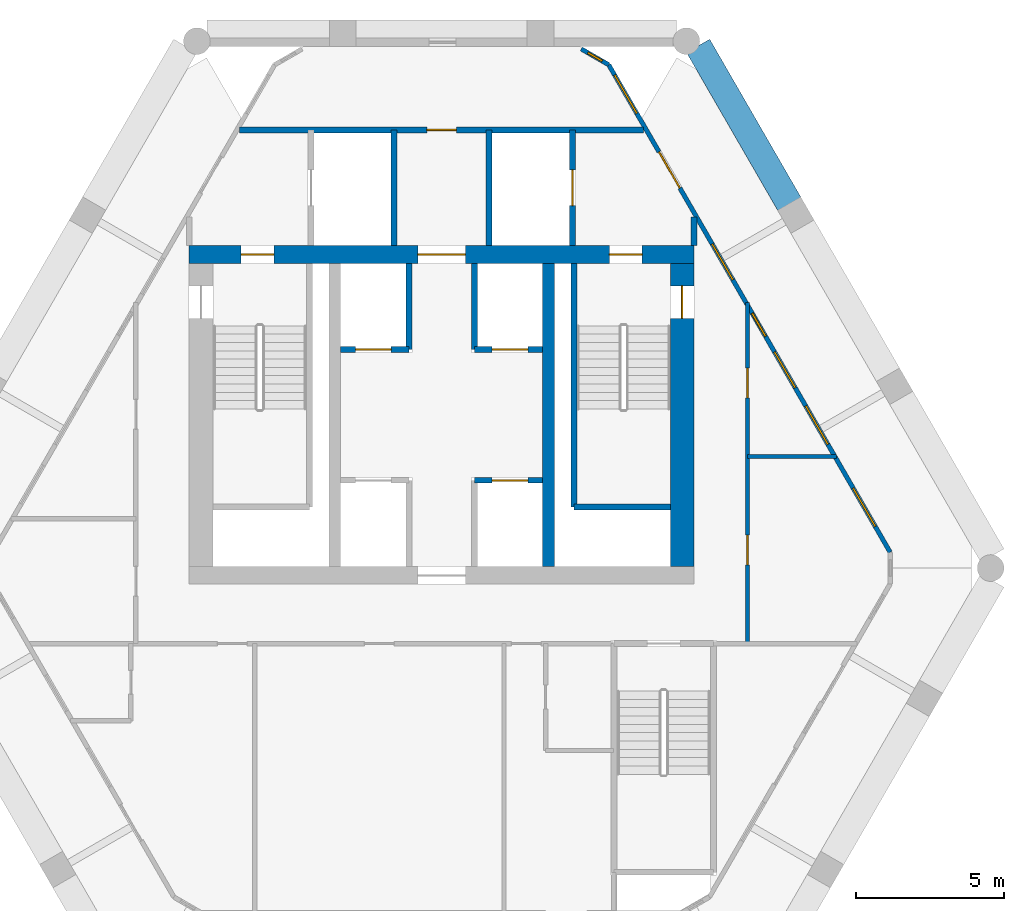
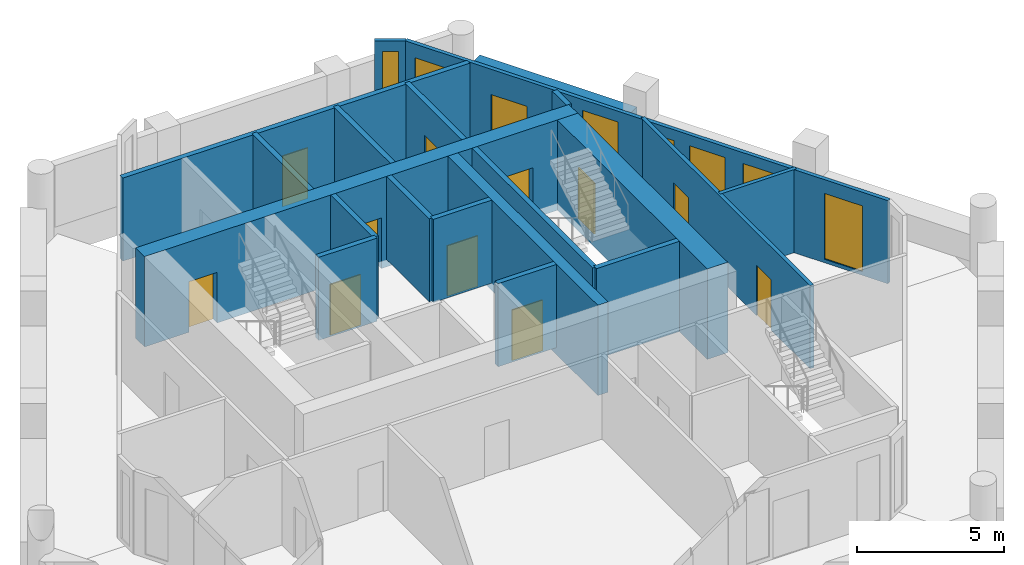
# One storey, part 4 of 6: 20 walls, 12 doors, 7 windows, 19 openings.
"""IFC4 building model written with IfcOpenShell, lengths in metres."""

from ifc_helpers import new_model, si_unit, direction, frame, frame_2d, origin, place, context, subcontext, project, spatial, rectangle, extrude, material, layer, layer_set, type_object, element, fill, save


model = new_model("IFC4")

# Units and contexts
model_context = context("Model", 3, precision=1e-05, world=origin(), true_north=direction((0.0, 1.0)))
body_context = subcontext(model_context, "Body", "Model", "MODEL_VIEW")
ifc_project = project(units=[si_unit("LENGTHUNIT", "METRE"), si_unit("AREAUNIT", "SQUARE_METRE"), si_unit("VOLUMEUNIT", "CUBIC_METRE"), si_unit("PLANEANGLEUNIT", "RADIAN"), si_unit("MASSUNIT", "GRAM", prefix="KILO")], contexts=[model_context])

# Site, building, storey
site_placement = place(None, origin())
site = spatial("IfcSite", under=ifc_project, at=site_placement, CompositionType="ELEMENT")
building_placement = place(site_placement, origin())
building = spatial("IfcBuilding", under=site, at=building_placement, Name="Ostrander Bayou Hotel Tower", CompositionType="ELEMENT")
storey_placement = place(building_placement, frame((0.0, 0.0, 271.25)))
storey = spatial("IfcBuildingStorey", under=building, at=storey_placement, Name="L67", CompositionType="ELEMENT", Elevation=271.25)

# Wall, openings, doors
ifc_material_1 = material(Name="Concrete f'c 60 MPa", Category="concrete")
ifc_layer_1 = layer(ifc_material_1, 0.60009765625)
ifc_layer_set_1 = layer_set([ifc_layer_1], Name="CW10 core wall 600 mm f'c 60 MPa")
wall_type_1 = type_object("IfcWallType", Name="CW10 core wall 600 mm f'c 60 MPa", PredefinedType="SHEAR", material=ifc_layer_set_1)
wall_1_placement = place(storey_placement, frame((-8.5, 9.39990234375, -0.300048828125), z_axis=(0.0, 0.0, 1.0), x_axis=(1.0, 0.0, 0.0)))
wall_1 = element("IfcWall", 1, at=wall_1_placement, inside=storey, type_object=wall_type_1, Name="CW10 L67 N", PredefinedType="SHEAR", context=body_context, shape_type="SweptSolid", body=[
    extrude(rectangle(XDim=17.0, YDim=0.60009765625, at=frame_2d((8.5, 0.0))), origin(), (0.0, 0.0, 1.0), 3.75),
])
opening_1_placement = place(wall_1_placement, frame((7.699951171875, 0.0, 0.0)))
opening_1 = element("IfcOpeningElement", 2, at=opening_1_placement, cuts=wall_1, Name="Opening T66-006", PredefinedType="OPENING", context=body_context, shape_type="SweptSolid", body=[
    extrude(rectangle(XDim=1.60009765625, YDim=2.10009765625, at=frame_2d((0.800048828125, 1.050048828125))), frame((0.0, 0.300048828125, 0.0), z_axis=(0.0, -1.0, 0.0), x_axis=(1.0, 0.0, 0.0)), (0.0, 0.0, 1.0), 0.60009765625),
])
opening_2_placement = place(wall_1_placement, frame((1.75, 0.0, 0.0)))
opening_2 = element("IfcOpeningElement", 3, at=opening_2_placement, cuts=wall_1, Name="Opening T66-007", PredefinedType="OPENING", context=body_context, shape_type="SweptSolid", body=[
    extrude(rectangle(XDim=1.10009765625, YDim=2.10009765625, at=frame_2d((0.550048828125, 1.050048828125))), frame((0.0, 0.300048828125, 0.0), z_axis=(0.0, -1.0, 0.0), x_axis=(1.0, 0.0, 0.0)), (0.0, 0.0, 1.0), 0.60009765625),
])
opening_3_placement = place(wall_1_placement, frame((14.14990234375, 0.0, 0.0)))
opening_3 = element("IfcOpeningElement", 4, at=opening_3_placement, cuts=wall_1, Name="Opening T66-009", PredefinedType="OPENING", context=body_context, shape_type="SweptSolid", body=[
    extrude(rectangle(XDim=1.10009765625, YDim=2.10009765625, at=frame_2d((0.550048828125, 1.050048828125))), frame((0.0, 0.300048828125, 0.0), z_axis=(0.0, -1.0, 0.0), x_axis=(1.0, 0.0, 0.0)), (0.0, 0.0, 1.0), 0.60009765625),
])
ifc_material_2 = material(Name="Timber door leaf", Category="wood")
door_type_1 = type_object("IfcDoorType", Name="D13 double door 1600 x 2100 mm, 1 hour", OperationType="SINGLE_SWING_LEFT", PredefinedType="DOOR", material=ifc_material_2)
door_1_placement = place(opening_1_placement, origin())
door_1 = element("IfcDoor", 5, at=door_1_placement, inside=storey, type_object=door_type_1, Name="dr:L67:006", OperationType="DOUBLE_DOOR_SINGLE_SWING", OverallHeight=2.10009765625, OverallWidth=1.60009765625, PredefinedType="DOOR", context=body_context, shape_type="SweptSolid", body=[
    extrude(rectangle(XDim=1.60009765625, YDim=2.10009765625, at=frame_2d((0.800048828125, 1.050048828125))), frame((0.0, 0.02490234375, 0.0), z_axis=(0.0, -1.0, 0.0), x_axis=(1.0, 0.0, 0.0)), (0.0, 0.0, 1.0), 0.050048828125),
])
fill(opening_1, door_1)
ifc_material_3 = material(Name="Timber door leaf", Category="wood")
door_type_2 = type_object("IfcDoorType", Name="D5 stair door 1100 x 2100 mm, 90 minute", OperationType="SINGLE_SWING_LEFT", PredefinedType="DOOR", material=ifc_material_3)
door_2_placement = place(opening_2_placement, origin())
door_2 = element("IfcDoor", 6, at=door_2_placement, inside=storey, type_object=door_type_2, Name="dr:L67:007", OperationType="SINGLE_SWING_LEFT", OverallHeight=2.10009765625, OverallWidth=1.10009765625, PredefinedType="DOOR", context=body_context, shape_type="SweptSolid", body=[
    extrude(rectangle(XDim=1.10009765625, YDim=2.10009765625, at=frame_2d((0.550048828125, 1.050048828125))), frame((0.0, 0.02490234375, 0.0), z_axis=(0.0, -1.0, 0.0), x_axis=(1.0, 0.0, 0.0)), (0.0, 0.0, 1.0), 0.050048828125),
])
fill(opening_2, door_2)
door_3_placement = place(opening_3_placement, origin())
door_3 = element("IfcDoor", 7, at=door_3_placement, inside=storey, type_object=door_type_2, Name="dr:L67:009", OperationType="SINGLE_SWING_RIGHT", OverallHeight=2.10009765625, OverallWidth=1.10009765625, PredefinedType="DOOR", context=body_context, shape_type="SweptSolid", body=[
    extrude(rectangle(XDim=1.10009765625, YDim=2.10009765625, at=frame_2d((0.550048828125, 1.050048828125))), frame((0.0, 0.02490234375, 0.0), z_axis=(0.0, -1.0, 0.0), x_axis=(1.0, 0.0, 0.0)), (0.0, 0.0, 1.0), 0.050048828125),
])
fill(opening_3, door_3)

# Wall, opening, door
ifc_material_4 = material(Name="Concrete f'c 60 MPa", Category="concrete")
ifc_layer_2 = layer(ifc_material_4, 0.800048828125)
ifc_layer_set_2 = layer_set([ifc_layer_2], Name="CW11 core spine wall 800 mm f'c 60 MPa")
wall_type_2 = type_object("IfcWallType", Name="CW11 core spine wall 800 mm f'c 60 MPa", PredefinedType="SHEAR", material=ifc_layer_set_2)
wall_2_placement = place(storey_placement, frame((8.10009765625, -1.10009765625, -0.300048828125), z_axis=(0.0, 0.0, 1.0), x_axis=(0.0, 1.0, 0.0)))
wall_2 = element("IfcWall", 8, at=wall_2_placement, inside=storey, type_object=wall_type_2, Name="CW11 L67 E", PredefinedType="SHEAR", context=body_context, shape_type="SweptSolid", body=[
    extrude(rectangle(XDim=10.2001953125, YDim=0.800048828125, at=frame_2d((5.10009765625, 0.0))), origin(), (0.0, 0.0, 1.0), 3.75),
])
opening_4_placement = place(wall_2_placement, frame((8.35009765625, 0.0, 0.0)))
opening_4 = element("IfcOpeningElement", 9, at=opening_4_placement, cuts=wall_2, Name="Opening T66-010", PredefinedType="OPENING", context=body_context, shape_type="SweptSolid", body=[
    extrude(rectangle(XDim=1.10009765625, YDim=2.10009765625, at=frame_2d((0.550048828125, 1.050048828125))), frame((0.0, 0.39990234375, 0.0), z_axis=(0.0, -1.0, 0.0), x_axis=(1.0, 0.0, 0.0)), (0.0, 0.0, 1.0), 0.800048828125),
])
door_4_placement = place(opening_4_placement, origin())
door_4 = element("IfcDoor", 10, at=door_4_placement, inside=storey, type_object=door_type_2, Name="dr:L67:010", OperationType="SINGLE_SWING_LEFT", OverallHeight=2.10009765625, OverallWidth=1.10009765625, PredefinedType="DOOR", context=body_context, shape_type="SweptSolid", body=[
    extrude(rectangle(XDim=1.10009765625, YDim=2.10009765625, at=frame_2d((0.550048828125, 1.050048828125))), frame((0.0, 0.02490234375, 0.0), z_axis=(0.0, -1.0, 0.0), x_axis=(1.0, 0.0, 0.0)), (0.0, 0.0, 1.0), 0.050048828125),
])
fill(opening_4, door_4)

# Wall
ifc_material_5 = material(Name="Concrete f'c 60 MPa", Category="concrete")
ifc_layer_3 = layer(ifc_material_5, 0.39990234375)
ifc_layer_set_3 = layer_set([ifc_layer_3], Name="CW12 core bank wall 400 mm f'c 60 MPa")
wall_type_3 = type_object("IfcWallType", Name="CW12 core bank wall 400 mm f'c 60 MPa", PredefinedType="SHEAR", material=ifc_layer_set_3)
wall_3_placement = place(storey_placement, frame((3.60009765625, -1.10009765625, -0.300048828125), z_axis=(0.0, 0.0, 1.0), x_axis=(0.0, 1.0, 0.0)))
element("IfcWall", 11, at=wall_3_placement, inside=storey, type_object=wall_type_3, Name="CW12 L67 CE", PredefinedType="SHEAR", context=body_context, shape_type="SweptSolid", body=[
    extrude(rectangle(XDim=10.2001953125, YDim=0.39990234375, at=frame_2d((5.10009765625, 0.0))), origin(), (0.0, 0.0, 1.0), 3.75),
])

# Wall, openings, door, windows
ifc_material_6 = material(Name="Aluminium framed insulated wall", Category="aluminium")
ifc_layer_4 = layer(ifc_material_6, 0.14990234375)
ifc_layer_set_4 = layer_set([ifc_layer_4], Name="GW1 glass-line wall 150 mm")
wall_type_4 = type_object("IfcWallType", Name="GW1 glass-line wall 150 mm", PredefinedType="SOLIDWALL", material=ifc_layer_set_4)
wall_4_placement = place(storey_placement, frame((15.10400390625, -0.6240234375, 0.0), z_axis=(0.0, 0.0, 1.0), x_axis=(-0.499998195608, 0.866026445548, 0.0)))
wall_4 = element("IfcWall", 12, at=wall_4_placement, inside=storey, type_object=wall_type_4, Name="GW1 L67 NE 1", PredefinedType="SOLIDWALL", context=body_context, shape_type="SweptSolid", body=[
    extrude(rectangle(XDim=18.9560546875, YDim=0.14990234375, at=frame_2d((9.47802734375, 0.0))), origin(), (0.0, 0.0, 1.0), 3.449951171875),
])
opening_5_placement = place(wall_4_placement, frame((4.1923828125, 0.0, 0.14990234375)))
opening_5 = element("IfcOpeningElement", 13, at=opening_5_placement, cuts=wall_4, Name="Opening W4", PredefinedType="OPENING", context=body_context, shape_type="SweptSolid", body=[
    extrude(rectangle(XDim=1.5, YDim=2.85009765625, at=frame_2d((0.75, 1.425048828125))), frame((0.0, 0.074951171875, 0.0), z_axis=(0.0, -1.0, 0.0), x_axis=(1.0, 0.0, 0.0)), (0.0, 0.0, 1.0), 0.14990234375),
])
opening_6_placement = place(wall_4_placement, frame((6.392333984375, 0.0, 0.14990234375)))
opening_6 = element("IfcOpeningElement", 14, at=opening_6_placement, cuts=wall_4, Name="Opening W14", PredefinedType="OPENING", context=body_context, shape_type="SweptSolid", body=[
    extrude(rectangle(XDim=1.39990234375, YDim=2.85009765625, at=frame_2d((0.699951171875, 1.425048828125))), frame((0.0, 0.074951171875, 0.0), z_axis=(0.0, -1.0, 0.0), x_axis=(1.0, 0.0, 0.0)), (0.0, 0.0, 1.0), 0.14990234375),
])
opening_7_placement = place(wall_4_placement, frame((8.392333984375, 0.0, 0.14990234375)))
opening_7 = element("IfcOpeningElement", 15, at=opening_7_placement, cuts=wall_4, Name="Opening W18", PredefinedType="OPENING", context=body_context, shape_type="SweptSolid", body=[
    extrude(rectangle(XDim=0.89990234375, YDim=2.85009765625, at=frame_2d((0.449951171875, 1.425048828125))), frame((0.0, 0.074951171875, 0.0), z_axis=(0.0, -1.0, 0.0), x_axis=(1.0, 0.0, 0.0)), (0.0, 0.0, 1.0), 0.14990234375),
])
opening_8_placement = place(wall_4_placement, frame((10.59228515625, 0.0, 0.14990234375)))
opening_8 = element("IfcOpeningElement", 16, at=opening_8_placement, cuts=wall_4, Name="Opening W14", PredefinedType="OPENING", context=body_context, shape_type="SweptSolid", body=[
    extrude(rectangle(XDim=1.39990234375, YDim=2.85009765625, at=frame_2d((0.699951171875, 1.425048828125))), frame((0.0, 0.074951171875, 0.0), z_axis=(0.0, -1.0, 0.0), x_axis=(1.0, 0.0, 0.0)), (0.0, 0.0, 1.0), 0.14990234375),
])
opening_9_placement = place(wall_4_placement, frame((14.16796875, 0.0, 0.0)))
opening_9 = element("IfcOpeningElement", 17, at=opening_9_placement, cuts=wall_4, Name="Opening T66-805", PredefinedType="OPENING", context=body_context, shape_type="SweptSolid", body=[
    extrude(rectangle(XDim=1.39990234375, YDim=2.39990234375, at=frame_2d((0.699951171875, 1.199951171875))), frame((0.0, 0.074951171875, 0.0), z_axis=(0.0, -1.0, 0.0), x_axis=(1.0, 0.0, 0.0)), (0.0, 0.0, 1.0), 0.14990234375),
])
opening_10_placement = place(wall_4_placement, frame((0.998291015625, 0.0, 0.14990234375)))
opening_10 = element("IfcOpeningElement", 18, at=opening_10_placement, cuts=wall_4, Name="Opening W4", PredefinedType="OPENING", context=body_context, shape_type="SweptSolid", body=[
    extrude(rectangle(XDim=1.5, YDim=2.72998046875, at=frame_2d((0.75, 1.364990234375))), frame((0.0, 0.074951171875, 0.0), z_axis=(0.0, -1.0, 0.0), x_axis=(1.0, 0.0, 0.0)), (0.0, 0.0, 1.0), 0.14990234375),
])
opening_11_placement = place(wall_4_placement, frame((17.06201171875, 0.0, 0.14990234375)))
opening_11 = element("IfcOpeningElement", 19, at=opening_11_placement, cuts=wall_4, Name="Opening W4", PredefinedType="OPENING", context=body_context, shape_type="SweptSolid", body=[
    extrude(rectangle(XDim=1.5, YDim=2.72998046875, at=frame_2d((0.75, 1.364990234375))), frame((0.0, 0.074951171875, 0.0), z_axis=(0.0, -1.0, 0.0), x_axis=(1.0, 0.0, 0.0)), (0.0, 0.0, 1.0), 0.14990234375),
])
ifc_material_7 = material(Name="Aluminium and clear glass", Category="aluminium")
door_type_3 = type_object("IfcDoorType", Name="SD4 sliding glass door 1400 mm, zone 4", OperationType="SLIDING_TO_LEFT", PredefinedType="DOOR", material=ifc_material_7)
door_5_placement = place(opening_9_placement, origin())
door_5 = element("IfcDoor", 20, at=door_5_placement, inside=storey, type_object=door_type_3, Name="SD4 L67 NE 4", OperationType="SLIDING_TO_RIGHT", OverallHeight=2.39990234375, OverallWidth=1.39990234375, PredefinedType="DOOR", context=body_context, shape_type="SweptSolid", body=[
    extrude(rectangle(XDim=1.39990234375, YDim=2.39990234375, at=frame_2d((0.699951171875, 1.199951171875))), frame((0.0, 0.02490234375, 0.0), z_axis=(0.0, -1.0, 0.0), x_axis=(1.0, 0.0, 0.0)), (0.0, 0.0, 1.0), 0.050048828125),
])
fill(opening_9, door_5)
ifc_material_8 = material(Name="Aluminium and clear glass", Category="aluminium")
window_type_1 = type_object("IfcWindowType", Name="W14 fixed window 1400 mm, bath bay, zone 4", PartitioningType="SINGLE_PANEL", PredefinedType="WINDOW", material=ifc_material_8)
window_1_placement = place(opening_6_placement, origin())
window_1 = element("IfcWindow", 21, at=window_1_placement, inside=storey, type_object=window_type_1, Name="W14 L67 NE 2", OverallHeight=2.85009765625, OverallWidth=1.39990234375, PartitioningType="SINGLE_PANEL", PredefinedType="WINDOW", context=body_context, shape_type="SweptSolid", body=[
    extrude(rectangle(XDim=1.39990234375, YDim=2.85009765625, at=frame_2d((0.699951171875, 1.425048828125))), frame((0.0, 0.030029296875, 0.0), z_axis=(0.0, -1.0, 0.0), x_axis=(1.0, 0.0, 0.0)), (0.0, 0.0, 1.0), 0.06005859375),
])
fill(opening_6, window_1)
window_2_placement = place(opening_8_placement, origin())
window_2 = element("IfcWindow", 22, at=window_2_placement, inside=storey, type_object=window_type_1, Name="W14 L67 NE 3", OverallHeight=2.85009765625, OverallWidth=1.39990234375, PartitioningType="SINGLE_PANEL", PredefinedType="WINDOW", context=body_context, shape_type="SweptSolid", body=[
    extrude(rectangle(XDim=1.39990234375, YDim=2.85009765625, at=frame_2d((0.699951171875, 1.425048828125))), frame((0.0, 0.030029296875, 0.0), z_axis=(0.0, -1.0, 0.0), x_axis=(1.0, 0.0, 0.0)), (0.0, 0.0, 1.0), 0.06005859375),
])
fill(opening_8, window_2)
ifc_material_9 = material(Name="Aluminium and clear glass", Category="aluminium")
window_type_2 = type_object("IfcWindowType", Name="W18 window 900 mm, zone 4", PartitioningType="SINGLE_PANEL", PredefinedType="WINDOW", material=ifc_material_9)
window_3_placement = place(opening_7_placement, origin())
window_3 = element("IfcWindow", 23, at=window_3_placement, inside=storey, type_object=window_type_2, Name="W18 L67 NE 3", OverallHeight=2.85009765625, OverallWidth=0.89990234375, PartitioningType="SINGLE_PANEL", PredefinedType="WINDOW", context=body_context, shape_type="SweptSolid", body=[
    extrude(rectangle(XDim=0.89990234375, YDim=2.85009765625, at=frame_2d((0.449951171875, 1.425048828125))), frame((0.0, 0.030029296875, 0.0), z_axis=(0.0, -1.0, 0.0), x_axis=(1.0, 0.0, 0.0)), (0.0, 0.0, 1.0), 0.06005859375),
])
fill(opening_7, window_3)
ifc_material_10 = material(Name="Aluminium and clear glass", Category="aluminium")
window_type_3 = type_object("IfcWindowType", Name="W4 fixed window 1500 mm, zone 4", PartitioningType="SINGLE_PANEL", PredefinedType="WINDOW", material=ifc_material_10)
window_4_placement = place(opening_5_placement, origin())
window_4 = element("IfcWindow", 24, at=window_4_placement, inside=storey, type_object=window_type_3, Name="W4 L67 NE 2", OverallHeight=2.85009765625, OverallWidth=1.5, PartitioningType="SINGLE_PANEL", PredefinedType="WINDOW", context=body_context, shape_type="SweptSolid", body=[
    extrude(rectangle(XDim=1.5, YDim=2.85009765625, at=frame_2d((0.75, 1.425048828125))), frame((0.0, 0.030029296875, 0.0), z_axis=(0.0, -1.0, 0.0), x_axis=(1.0, 0.0, 0.0)), (0.0, 0.0, 1.0), 0.06005859375),
])
fill(opening_5, window_4)
window_5_placement = place(opening_10_placement, origin())
window_5 = element("IfcWindow", 25, at=window_5_placement, inside=storey, type_object=window_type_3, Name="W4 L67 NE E11", OverallHeight=2.72998046875, OverallWidth=1.5, PartitioningType="SINGLE_PANEL", PredefinedType="WINDOW", context=body_context, shape_type="SweptSolid", body=[
    extrude(rectangle(XDim=1.5, YDim=2.72998046875, at=frame_2d((0.75, 1.364990234375))), frame((0.0, 0.030029296875, 0.0), z_axis=(0.0, -1.0, 0.0), x_axis=(1.0, 0.0, 0.0)), (0.0, 0.0, 1.0), 0.06005859375),
])
fill(opening_10, window_5)
window_6_placement = place(opening_11_placement, origin())
window_6 = element("IfcWindow", 26, at=window_6_placement, inside=storey, type_object=window_type_3, Name="W4 L67 NE E21", OverallHeight=2.72998046875, OverallWidth=1.5, PartitioningType="SINGLE_PANEL", PredefinedType="WINDOW", context=body_context, shape_type="SweptSolid", body=[
    extrude(rectangle(XDim=1.5, YDim=2.72998046875, at=frame_2d((0.75, 1.364990234375))), frame((0.0, 0.030029296875, 0.0), z_axis=(0.0, -1.0, 0.0), x_axis=(1.0, 0.0, 0.0)), (0.0, 0.0, 1.0), 0.06005859375),
])
fill(opening_11, window_6)

# Wall, opening, window
wall_5_placement = place(storey_placement, frame((5.6259765625, 15.79248046875, 0.0), z_axis=(0.0, 0.0, 1.0), x_axis=(-0.866048165231, 0.499960573946, 0.0)))
wall_5 = element("IfcWall", 27, at=wall_5_placement, inside=storey, type_object=wall_type_4, Name="GW1 L67 corner 6", PredefinedType="SOLIDWALL", context=body_context, shape_type="SweptSolid", body=[
    extrude(rectangle(XDim=1.06494140625, YDim=0.14990234375, at=frame_2d((0.532470703125, 0.0))), origin(), (0.0, 0.0, 1.0), 3.449951171875),
])
opening_12_placement = place(wall_5_placement, frame((0.257568359375, 0.0, 0.14990234375)))
opening_12 = element("IfcOpeningElement", 28, at=opening_12_placement, cuts=wall_5, Name="Opening W19", PredefinedType="OPENING", context=body_context, shape_type="SweptSolid", body=[
    extrude(rectangle(XDim=0.550048828125, YDim=2.85009765625, at=frame_2d((0.27490234375, 1.425048828125))), frame((0.0, 0.074951171875, 0.0), z_axis=(0.0, -1.0, 0.0), x_axis=(1.0, 0.0, 0.0)), (0.0, 0.0, 1.0), 0.14990234375),
])
ifc_material_11 = material(Name="Aluminium and clear glass", Category="aluminium")
window_type_4 = type_object("IfcWindowType", Name="W19 corner window 550 mm", PartitioningType="SINGLE_PANEL", PredefinedType="WINDOW", material=ifc_material_11)
window_7_placement = place(opening_12_placement, origin())
window_7 = element("IfcWindow", 29, at=window_7_placement, inside=storey, type_object=window_type_4, Name="W19 L67 corner 6", OverallHeight=2.85009765625, OverallWidth=0.550048828125, PartitioningType="SINGLE_PANEL", PredefinedType="WINDOW", context=body_context, shape_type="SweptSolid", body=[
    extrude(rectangle(XDim=0.550048828125, YDim=2.85009765625, at=frame_2d((0.27490234375, 1.425048828125))), frame((0.0, 0.030029296875, 0.0), z_axis=(0.0, -1.0, 0.0), x_axis=(1.0, 0.0, 0.0)), (0.0, 0.0, 1.0), 0.06005859375),
])
fill(opening_12, window_7)

# Wall
ifc_material_12 = material(Name="Concrete f'c 40 MPa", Category="concrete")
ifc_layer_5 = layer(ifc_material_12, 0.89990234375)
ifc_layer_set_5 = layer_set([ifc_layer_5], Name="PA1 stone-faced parapet 900 mm")
wall_type_5 = type_object("IfcWallType", Name="PA1 stone-faced parapet 900 mm", PredefinedType="PARAPET", material=ifc_layer_set_5)
wall_6_placement = place(storey_placement, frame((11.71630859375, 11.09375, 0.0), z_axis=(0.0, 0.0, 1.0), x_axis=(-0.499984362083, 0.866034432152, 0.0)))
element("IfcWall", 30, at=wall_6_placement, inside=storey, type_object=wall_type_5, Name="PA1 L67 NE-3", PredefinedType="PARAPET", context=body_context, shape_type="SweptSolid", body=[
    extrude(rectangle(XDim=6.159423828125, YDim=0.89990234375, at=frame_2d((3.07958984375, 0.0))), origin(), (0.0, 0.0, 1.0), 1.10009765625),
])

# Wall, opening, door
ifc_material_13 = material(Name="Masonry block", Category="masonry")
ifc_layer_6 = layer(ifc_material_13, 0.199951171875)
ifc_layer_set_6 = layer_set([ifc_layer_6], Name="PT5 stair enclosure wall 200 mm masonry, 2 hour")
wall_type_6 = type_object("IfcWallType", Name="PT5 stair enclosure wall 200 mm masonry, 2 hour", PredefinedType="PARTITIONING", material=ifc_layer_set_6)
wall_7_placement = place(storey_placement, frame((-6.805419921875, 13.60009765625, 0.0), z_axis=(0.0, 0.0, 1.0), x_axis=(1.0, 0.0, 0.0)))
wall_7 = element("IfcWall", 31, at=wall_7_placement, inside=storey, type_object=wall_type_6, Name="cs:L67:018", PredefinedType="PARTITIONING", context=body_context, shape_type="SweptSolid", body=[
    extrude(rectangle(XDim=13.61083984375, YDim=0.199951171875, at=frame_2d((6.805419921875, 0.0))), origin(), (0.0, 0.0, 1.0), 3.449951171875),
])
opening_13_placement = place(wall_7_placement, frame((6.305419921875, 0.0, 0.0)))
opening_13 = element("IfcOpeningElement", 32, at=opening_13_placement, cuts=wall_7, Name="Opening T66-014", PredefinedType="OPENING", context=body_context, shape_type="SweptSolid", body=[
    extrude(rectangle(XDim=1.0, YDim=2.10009765625, at=frame_2d((0.5, 1.050048828125))), frame((0.0, 0.10009765625, 0.0), z_axis=(0.0, -1.0, 0.0), x_axis=(1.0, 0.0, 0.0)), (0.0, 0.0, 1.0), 0.199951171875),
])
ifc_material_14 = material(Name="Timber door leaf", Category="wood")
door_type_4 = type_object("IfcDoorType", Name="D9 service door 1000 x 2100 mm, 30 minute", OperationType="SINGLE_SWING_LEFT", PredefinedType="DOOR", material=ifc_material_14)
door_6_placement = place(opening_13_placement, origin())
door_6 = element("IfcDoor", 33, at=door_6_placement, inside=storey, type_object=door_type_4, Name="dr:L67:014", OperationType="SINGLE_SWING_LEFT", OverallHeight=2.10009765625, OverallWidth=1.0, PredefinedType="DOOR", context=body_context, shape_type="SweptSolid", body=[
    extrude(rectangle(XDim=1.0, YDim=2.10009765625, at=frame_2d((0.5, 1.050048828125))), frame((0.0, 0.02490234375, 0.0), z_axis=(0.0, -1.0, 0.0), x_axis=(1.0, 0.0, 0.0)), (0.0, 0.0, 1.0), 0.050048828125),
])
fill(opening_13, door_6)

# Wall
wall_8_placement = place(storey_placement, frame((8.5, 9.699951171875, 0.0), z_axis=(0.0, 0.0, 1.0), x_axis=(0.0, 1.0, 0.0)))
element("IfcWall", 34, at=wall_8_placement, inside=storey, type_object=wall_type_6, Name="cs:L67:020", PredefinedType="PARTITIONING", context=body_context, shape_type="SweptSolid", body=[
    extrude(rectangle(XDim=0.964599609375, YDim=0.199951171875, at=frame_2d((0.482421875, 0.0))), origin(), (0.0, 0.0, 1.0), 3.449951171875),
])

# Wall, opening, door
wall_9_placement = place(storey_placement, frame((4.39990234375, 9.699951171875, 0.0), z_axis=(0.0, 0.0, 1.0), x_axis=(0.0, 1.0, 0.0)))
wall_9 = element("IfcWall", 35, at=wall_9_placement, inside=storey, type_object=wall_type_6, Name="cs:L67:022", PredefinedType="PARTITIONING", context=body_context, shape_type="SweptSolid", body=[
    extrude(rectangle(XDim=3.900146484375, YDim=0.199951171875, at=frame_2d((1.9501953125, 0.0))), origin(), (0.0, 0.0, 1.0), 3.449951171875),
])
opening_14_placement = place(wall_9_placement, frame((1.35009765625, 0.0, 0.0)))
opening_14 = element("IfcOpeningElement", 36, at=opening_14_placement, cuts=wall_9, Name="Opening T66-013", PredefinedType="OPENING", context=body_context, shape_type="SweptSolid", body=[
    extrude(rectangle(XDim=1.199951171875, YDim=2.10009765625, at=frame_2d((0.60009765625, 1.050048828125))), frame((0.0, 0.10009765625, 0.0), z_axis=(0.0, -1.0, 0.0), x_axis=(1.0, 0.0, 0.0)), (0.0, 0.0, 1.0), 0.199951171875),
])
ifc_material_15 = material(Name="Stainless steel sliding door", Category="steel")
door_type_5 = type_object("IfcDoorType", Name="LD1 lift landing door 1200 x 2100 mm", OperationType="SINGLE_SWING_LEFT", PredefinedType="DOOR", material=ifc_material_15)
door_7_placement = place(opening_14_placement, origin())
door_7 = element("IfcDoor", 37, at=door_7_placement, inside=storey, type_object=door_type_5, Name="dr:L67:013", OperationType="SLIDING_TO_LEFT", OverallHeight=2.10009765625, OverallWidth=1.199951171875, PredefinedType="DOOR", context=body_context, shape_type="SweptSolid", body=[
    extrude(rectangle(XDim=1.199951171875, YDim=2.10009765625, at=frame_2d((0.60009765625, 1.050048828125))), frame((0.0, 0.02490234375, 0.0), z_axis=(0.0, -1.0, 0.0), x_axis=(1.0, 0.0, 0.0)), (0.0, 0.0, 1.0), 0.050048828125),
])
fill(opening_14, door_7)

ifc_material_16 = material(Name="Masonry block", Category="masonry")
ifc_layer_7 = layer(ifc_material_16, 0.199951171875)
ifc_layer_set_7 = layer_set([ifc_layer_7], Name="PT6 lift shaft wall 200 mm masonry, 2 hour")
wall_type_7 = type_object("IfcWallType", Name="PT6 lift shaft wall 200 mm masonry, 2 hour", PredefinedType="PARTITIONING", material=ifc_layer_set_7)
wall_10_placement = place(storey_placement, frame((-3.39990234375, 6.199951171875, 0.0), z_axis=(0.0, 0.0, 1.0), x_axis=(1.0, 0.0, 0.0)))
wall_10 = element("IfcWall", 38, at=wall_10_placement, inside=storey, type_object=wall_type_7, Name="cs:L67:002", PredefinedType="PARTITIONING", context=body_context, shape_type="SweptSolid", body=[
    extrude(rectangle(XDim=2.2998046875, YDim=0.199951171875, at=frame_2d((1.14990234375, 0.0))), origin(), (0.0, 0.0, 1.0), 3.449951171875),
])
opening_15_placement = place(wall_10_placement, frame((0.5, 0.0, 0.0)))
opening_15 = element("IfcOpeningElement", 39, at=opening_15_placement, cuts=wall_10, Name="Opening T66-003", PredefinedType="OPENING", context=body_context, shape_type="SweptSolid", body=[
    extrude(rectangle(XDim=1.199951171875, YDim=2.10009765625, at=frame_2d((0.60009765625, 1.050048828125))), frame((0.0, 0.10009765625, 0.0), z_axis=(0.0, -1.0, 0.0), x_axis=(1.0, 0.0, 0.0)), (0.0, 0.0, 1.0), 0.199951171875),
])
door_8_placement = place(opening_15_placement, origin())
door_8 = element("IfcDoor", 40, at=door_8_placement, inside=storey, type_object=door_type_5, Name="dr:L67:003", OperationType="SLIDING_TO_LEFT", OverallHeight=2.10009765625, OverallWidth=1.199951171875, PredefinedType="DOOR", context=body_context, shape_type="SweptSolid", body=[
    extrude(rectangle(XDim=1.199951171875, YDim=2.10009765625, at=frame_2d((0.60009765625, 1.050048828125))), frame((0.0, 0.02490234375, 0.0), z_axis=(0.0, -1.0, 0.0), x_axis=(1.0, 0.0, 0.0)), (0.0, 0.0, 1.0), 0.050048828125),
])
fill(opening_15, door_8)

wall_11_placement = place(storey_placement, frame((1.10009765625, 1.800048828125, 0.0), z_axis=(0.0, 0.0, 1.0), x_axis=(1.0, 0.0, 0.0)))
wall_11 = element("IfcWall", 41, at=wall_11_placement, inside=storey, type_object=wall_type_7, Name="cs:L67:003", PredefinedType="PARTITIONING", context=body_context, shape_type="SweptSolid", body=[
    extrude(rectangle(XDim=2.2998046875, YDim=0.199951171875, at=frame_2d((1.14990234375, 0.0))), origin(), (0.0, 0.0, 1.0), 3.449951171875),
])
opening_16_placement = place(wall_11_placement, frame((0.60009765625, 0.0, 0.0)))
opening_16 = element("IfcOpeningElement", 42, at=opening_16_placement, cuts=wall_11, Name="Opening T66-002", PredefinedType="OPENING", context=body_context, shape_type="SweptSolid", body=[
    extrude(rectangle(XDim=1.199951171875, YDim=2.10009765625, at=frame_2d((0.60009765625, 1.050048828125))), frame((0.0, 0.10009765625, 0.0), z_axis=(0.0, -1.0, 0.0), x_axis=(1.0, 0.0, 0.0)), (0.0, 0.0, 1.0), 0.199951171875),
])
door_9_placement = place(opening_16_placement, origin())
door_9 = element("IfcDoor", 43, at=door_9_placement, inside=storey, type_object=door_type_5, Name="dr:L67:002", OperationType="SLIDING_TO_LEFT", OverallHeight=2.10009765625, OverallWidth=1.199951171875, PredefinedType="DOOR", context=body_context, shape_type="SweptSolid", body=[
    extrude(rectangle(XDim=1.199951171875, YDim=2.10009765625, at=frame_2d((0.60009765625, 1.050048828125))), frame((0.0, 0.02490234375, 0.0), z_axis=(0.0, -1.0, 0.0), x_axis=(1.0, 0.0, 0.0)), (0.0, 0.0, 1.0), 0.050048828125),
])
fill(opening_16, door_9)

wall_12_placement = place(storey_placement, frame((1.10009765625, 6.199951171875, 0.0), z_axis=(0.0, 0.0, 1.0), x_axis=(1.0, 0.0, 0.0)))
wall_12 = element("IfcWall", 44, at=wall_12_placement, inside=storey, type_object=wall_type_7, Name="cs:L67:004", PredefinedType="PARTITIONING", context=body_context, shape_type="SweptSolid", body=[
    extrude(rectangle(XDim=2.2998046875, YDim=0.199951171875, at=frame_2d((1.14990234375, 0.0))), origin(), (0.0, 0.0, 1.0), 3.449951171875),
])
opening_17_placement = place(wall_12_placement, frame((0.60009765625, 0.0, 0.0)))
opening_17 = element("IfcOpeningElement", 45, at=opening_17_placement, cuts=wall_12, Name="Opening T66-004", PredefinedType="OPENING", context=body_context, shape_type="SweptSolid", body=[
    extrude(rectangle(XDim=1.199951171875, YDim=2.10009765625, at=frame_2d((0.60009765625, 1.050048828125))), frame((0.0, 0.10009765625, 0.0), z_axis=(0.0, -1.0, 0.0), x_axis=(1.0, 0.0, 0.0)), (0.0, 0.0, 1.0), 0.199951171875),
])
door_10_placement = place(opening_17_placement, origin())
door_10 = element("IfcDoor", 46, at=door_10_placement, inside=storey, type_object=door_type_5, Name="dr:L67:004", OperationType="SLIDING_TO_LEFT", OverallHeight=2.10009765625, OverallWidth=1.199951171875, PredefinedType="DOOR", context=body_context, shape_type="SweptSolid", body=[
    extrude(rectangle(XDim=1.199951171875, YDim=2.10009765625, at=frame_2d((0.60009765625, 1.050048828125))), frame((0.0, 0.02490234375, 0.0), z_axis=(0.0, -1.0, 0.0), x_axis=(1.0, 0.0, 0.0)), (0.0, 0.0, 1.0), 0.050048828125),
])
fill(opening_17, door_10)

# Walls
for number, where, z_axis, x_axis, name in (
    (47, (-1.10009765625, 6.199951171875, 0.0), (0.0, 0.0, 1.0), (0.0, 1.0, 0.0), "cs:L67:007"),
    (48, (1.10009765625, 6.199951171875, 0.0), (0.0, 0.0, 1.0), (0.0, 1.0, 0.0), "cs:L67:008"),
):
    element("IfcWall", number, at=place(storey_placement, frame(where, z_axis=z_axis, x_axis=x_axis)), inside=storey, type_object=wall_type_7, Name=name, PredefinedType="PARTITIONING", context=body_context, shape_type="SweptSolid", body=[
        extrude(rectangle(XDim=2.900146484375, YDim=0.199951171875, at=frame_2d((1.4501953125, 0.0))), origin(), (0.0, 0.0, 1.0), 3.449951171875),
    ])
for number, where, z_axis, x_axis, name in (
    (49, (-1.60009765625, 9.699951171875, 0.0), (0.0, 0.0, 1.0), (0.0, 1.0, 0.0), "cs:L67:023"),
    (50, (1.60009765625, 9.699951171875, 0.0), (0.0, 0.0, 1.0), (0.0, 1.0, 0.0), "cs:L67:024"),
):
    element("IfcWall", number, at=place(storey_placement, frame(where, z_axis=z_axis, x_axis=x_axis)), inside=storey, type_object=wall_type_7, Name=name, PredefinedType="PARTITIONING", context=body_context, shape_type="SweptSolid", body=[
        extrude(rectangle(XDim=3.900146484375, YDim=0.199951171875, at=frame_2d((1.9501953125, 0.0))), origin(), (0.0, 0.0, 1.0), 3.449951171875),
    ])
ifc_material_17 = material(Name="Gypsum board partition", Category="finish")
ifc_layer_8 = layer(ifc_material_17, 0.14990234375)
ifc_layer_set_8 = layer_set([ifc_layer_8], Name="PT8 service band wall 150 mm, 1 hour")
wall_type_8 = type_object("IfcWallType", Name="PT8 service band wall 150 mm, 1 hour", PredefinedType="PARTITIONING", material=ifc_layer_set_8)
wall_13_placement = place(storey_placement, frame((10.300048828125, 2.60009765625, 0.0), z_axis=(0.0, 0.0, 1.0), x_axis=(1.0, 0.0, 0.0)))
element("IfcWall", 51, at=wall_13_placement, inside=storey, type_object=wall_type_8, Name="gw:L67:006", PredefinedType="PARTITIONING", context=body_context, shape_type="SweptSolid", body=[
    extrude(rectangle(XDim=2.994873046875, YDim=0.14990234375, at=frame_2d((1.49755859375, 0.0))), origin(), (0.0, 0.0, 1.0), 3.449951171875),
])

# Wall, openings, doors
wall_14_placement = place(storey_placement, frame((10.300048828125, -3.699951171875, 0.0), z_axis=(0.0, 0.0, 1.0), x_axis=(0.0, 1.0, 0.0)))
wall_14 = element("IfcWall", 52, at=wall_14_placement, inside=storey, type_object=wall_type_8, Name="gw:L67:007", PredefinedType="PARTITIONING", context=body_context, shape_type="SweptSolid", body=[
    extrude(rectangle(XDim=11.487060546875, YDim=0.14990234375, at=frame_2d((5.74365234375, 0.0))), origin(), (0.0, 0.0, 1.0), 3.449951171875),
])
opening_18_placement = place(wall_14_placement, frame((2.64990234375, 0.0, 0.0)))
opening_18 = element("IfcOpeningElement", 53, at=opening_18_placement, cuts=wall_14, Name="Opening T66-407", PredefinedType="OPENING", context=body_context, shape_type="SweptSolid", body=[
    extrude(rectangle(XDim=1.0, YDim=2.10009765625, at=frame_2d((0.5, 1.050048828125))), frame((0.0, 0.074951171875, 0.0), z_axis=(0.0, -1.0, 0.0), x_axis=(1.0, 0.0, 0.0)), (0.0, 0.0, 1.0), 0.14990234375),
])
opening_19_placement = place(wall_14_placement, frame((8.27294921875, 0.0, 0.0)))
opening_19 = element("IfcOpeningElement", 54, at=opening_19_placement, cuts=wall_14, Name="Opening T66-408", PredefinedType="OPENING", context=body_context, shape_type="SweptSolid", body=[
    extrude(rectangle(XDim=1.0, YDim=2.10009765625, at=frame_2d((0.5, 1.050048828125))), frame((0.0, 0.074951171875, 0.0), z_axis=(0.0, -1.0, 0.0), x_axis=(1.0, 0.0, 0.0)), (0.0, 0.0, 1.0), 0.14990234375),
])
ifc_material_18 = material(Name="Timber door leaf", Category="wood")
door_type_6 = type_object("IfcDoorType", Name="D15 room door 1000 x 2100 mm", OperationType="SINGLE_SWING_LEFT", PredefinedType="DOOR", material=ifc_material_18)
door_11_placement = place(opening_18_placement, origin())
door_11 = element("IfcDoor", 55, at=door_11_placement, inside=storey, type_object=door_type_6, Name="dr:L67:407", OperationType="SINGLE_SWING_LEFT", OverallHeight=2.10009765625, OverallWidth=1.0, PredefinedType="DOOR", context=body_context, shape_type="SweptSolid", body=[
    extrude(rectangle(XDim=1.0, YDim=2.10009765625, at=frame_2d((0.5, 1.050048828125))), frame((0.0, 0.02490234375, 0.0), z_axis=(0.0, -1.0, 0.0), x_axis=(1.0, 0.0, 0.0)), (0.0, 0.0, 1.0), 0.050048828125),
])
fill(opening_18, door_11)
door_12_placement = place(opening_19_placement, origin())
door_12 = element("IfcDoor", 56, at=door_12_placement, inside=storey, type_object=door_type_4, Name="dr:L67:408", OperationType="SINGLE_SWING_LEFT", OverallHeight=2.10009765625, OverallWidth=1.0, PredefinedType="DOOR", context=body_context, shape_type="SweptSolid", body=[
    extrude(rectangle(XDim=1.0, YDim=2.10009765625, at=frame_2d((0.5, 1.050048828125))), frame((0.0, 0.02490234375, 0.0), z_axis=(0.0, -1.0, 0.0), x_axis=(1.0, 0.0, 0.0)), (0.0, 0.0, 1.0), 0.050048828125),
])
fill(opening_19, door_12)

# Walls
ifc_material_19 = material(Name="Concrete f'c 45 MPa", Category="concrete")
ifc_layer_9 = layer(ifc_material_19, 0.199951171875)
ifc_layer_set_9 = layer_set([ifc_layer_9], Name="SW5 stair enclosure wall 200 mm f'c 45 MPa")
wall_type_9 = type_object("IfcWallType", Name="SW5 stair enclosure wall 200 mm f'c 45 MPa", PredefinedType="SOLIDWALL", material=ifc_layer_set_9)
wall_15_placement = place(storey_placement, frame((4.449951171875, 0.89990234375, -0.300048828125), z_axis=(0.0, 0.0, 1.0), x_axis=(0.0, 1.0, 0.0)))
element("IfcWall", 57, at=wall_15_placement, inside=storey, type_object=wall_type_9, Name="cs:L67:011", PredefinedType="SOLIDWALL", context=body_context, shape_type="SweptSolid", body=[
    extrude(rectangle(XDim=8.2001953125, YDim=0.199951171875, at=frame_2d((4.10009765625, 0.0))), origin(), (0.0, 0.0, 1.0), 3.75),
])
wall_16_placement = place(storey_placement, frame((4.449951171875, 0.89990234375, -0.300048828125), z_axis=(0.0, 0.0, 1.0), x_axis=(1.0, 0.0, 0.0)))
element("IfcWall", 58, at=wall_16_placement, inside=storey, type_object=wall_type_9, Name="cs:L67:012", PredefinedType="SOLIDWALL", context=body_context, shape_type="SweptSolid", body=[
    extrude(rectangle(XDim=3.25, YDim=0.199951171875, at=frame_2d((1.625, 0.0))), origin(), (0.0, 0.0, 1.0), 3.75),
])

save(model, "model.ifc")
